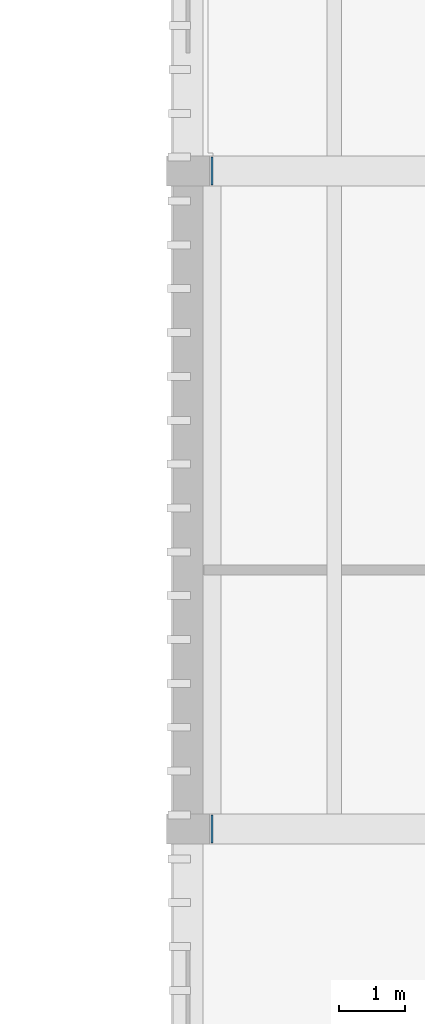
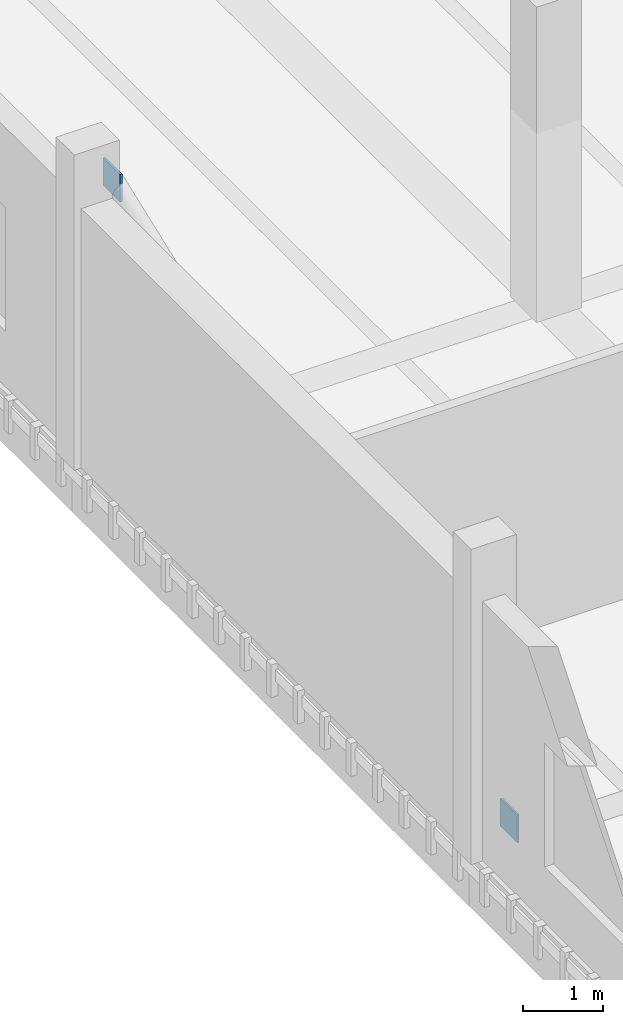
# One storey, part 25 of 50: 2 plates.
"""IFC4 building model written with IfcOpenShell, lengths in metres."""

import ifcopenshell
import ifcopenshell.guid

model = None  # the IFC model being written
_history = None  # IfcOwnerHistory: only IFC2X3 demands one
_inside = {}  # id of a spatial element -> (the spatial element, [elements in it])
_under = {}  # id of a project, library or spatial element -> (it, [spatial elements below it])
_declared = {}  # id of a project -> (the project, [libraries it declares])
_typed = {}  # id of a type object -> (the type object, [elements of that type])
_made_of = {}  # id of a material, layer set ... -> (it, [elements and type objects made of it])


def new_model(schema):
    """Start an empty IFC model of exactly this schema.

    Asked for "IFC4X3", IfcOpenShell would pick the latest addendum, in which some entities
    have other attributes; the version numbers below select the first issue.
    IFC2X3 requires an IfcOwnerHistory on every rooted entity: one is made here for all.
    """
    global model, _history
    if schema == "IFC4X3":
        model = ifcopenshell.file(schema_version=(4, 3, 0, 0))
    else:
        model = ifcopenshell.file(schema=schema)
    _inside.clear()
    _under.clear()
    _declared.clear()
    _typed.clear()
    _made_of.clear()
    _history = None
    if model.schema == "IFC2X3":
        org = make("IfcOrganization", Name="unknown")
        user = make(
            "IfcPersonAndOrganization",
            ThePerson=make("IfcPerson", FamilyName="unknown"),
            TheOrganization=org,
        )
        app = make(
            "IfcApplication",
            ApplicationDeveloper=org,
            Version="unknown",
            ApplicationFullName="unknown",
            ApplicationIdentifier="unknown",
        )
        _history = make(
            "IfcOwnerHistory",
            OwningUser=user,
            OwningApplication=app,
            ChangeAction="ADDED",
            CreationDate=0,
        )
    return model


def make(cls, **values):
    """One entity of the class cls with the attributes given. An attribute that is None is left unset."""
    return model.create_entity(
        cls, **{name: value for name, value in values.items() if value is not None}
    )


def rooted(cls, **values):
    """An entity with a GlobalId (a new one), such as an element, a storey or a relation."""
    return make(cls, GlobalId=ifcopenshell.guid.new(), OwnerHistory=_history, **values)


def si_unit(unit_type, name, prefix=None):
    """IfcSIUnit, for example si_unit("LENGTHUNIT", "METRE", prefix="MILLI")."""
    return make("IfcSIUnit", UnitType=unit_type, Prefix=prefix, Name=name)


def assignment(units):
    """IfcUnitAssignment: the units of a project."""
    return None if units is None else make("IfcUnitAssignment", Units=units)


def point(xyz):
    """IfcCartesianPoint."""
    return None if xyz is None else make("IfcCartesianPoint", Coordinates=xyz)


def direction(xyz):
    """IfcDirection."""
    return None if xyz is None else make("IfcDirection", DirectionRatios=xyz)


def frame(location, z_axis=None, x_axis=None):
    """IfcAxis2Placement3D, a coordinate frame: its origin and axes. An axis left out is left unset."""
    return make(
        "IfcAxis2Placement3D",
        Location=point(location),
        Axis=direction(z_axis),
        RefDirection=direction(x_axis),
    )


def frame_2d(location, x_axis=None):
    """IfcAxis2Placement2D, a coordinate frame in the plane: its origin and x axis."""
    return make(
        "IfcAxis2Placement2D", Location=point(location), RefDirection=direction(x_axis)
    )


def origin():
    """The frame at (0, 0, 0) with its axes left unset."""
    return frame((0.0, 0.0, 0.0))


def origin_2d():
    """The frame at (0, 0) in the plane with its x axis left unset."""
    return frame_2d((0.0, 0.0))


def place(relative_to, where):
    """IfcLocalPlacement: puts the frame where relative to a parent placement (None: the world)."""
    return make(
        "IfcLocalPlacement", PlacementRelTo=relative_to, RelativePlacement=where
    )


def context(
    kind, dimensions, precision=None, world=None, true_north=None, identifier=None
):
    """IfcGeometricRepresentationContext, for example the 3D "Model" context."""
    return make(
        "IfcGeometricRepresentationContext",
        ContextIdentifier=identifier,
        ContextType=kind,
        CoordinateSpaceDimension=dimensions,
        Precision=precision,
        WorldCoordinateSystem=world,
        TrueNorth=true_north,
    )


def subcontext(parent, identifier, kind, view, scale=None):
    """IfcGeometricRepresentationSubContext, for example "Body" below "Model"."""
    return make(
        "IfcGeometricRepresentationSubContext",
        ContextIdentifier=identifier,
        ContextType=kind,
        ParentContext=parent,
        TargetScale=scale,
        TargetView=view,
    )


def project(units=None, contexts=None):
    """IfcProject with its units and contexts."""
    return rooted(
        "IfcProject",
        Name="project",
        RepresentationContexts=contexts,
        UnitsInContext=assignment(units),
    )


def spatial(cls, under=None, at=None, **own):
    """A site, building, storey or space (cls), placed at a placement, below another one or the project."""
    s = rooted(cls, ObjectPlacement=at, **own)
    if under is not None:
        _under.setdefault(under.id(), (under, []))[1].append(s)
    return s


def profile(cls, at=None, kind="AREA", **sizes):
    """A parametric profile (cls). Its sizes go by their IFC names, for example OverallWidth=200.0."""
    return make(cls, ProfileType=kind, Position=at, **sizes)


def rectangle(**sizes):
    """IfcRectangleProfileDef."""
    return profile("IfcRectangleProfileDef", **sizes)


def extrude(swept, where, along, depth):
    """IfcExtrudedAreaSolid: the profile swept, set in the frame where, extruded along a direction by depth."""
    return make(
        "IfcExtrudedAreaSolid",
        SweptArea=swept,
        Position=where,
        ExtrudedDirection=direction(along),
        Depth=depth,
    )


def shape(context_of_items, identifier, shape_type, items):
    """IfcShapeRepresentation: the items that make up one representation, for example the "Body"."""
    return make(
        "IfcShapeRepresentation",
        ContextOfItems=context_of_items,
        RepresentationIdentifier=identifier,
        RepresentationType=shape_type,
        Items=items,
    )


def material(Name=None, Category=None):
    """IfcMaterial."""
    return make("IfcMaterial", Name=Name, Category=Category)


def layer(
    of_material, thickness, ventilated=None, Name=None, Category=None, Priority=None
):
    """IfcMaterialLayer: one layer of a wall or slab, of a material (None: an air gap)."""
    return make(
        "IfcMaterialLayer",
        Material=of_material,
        LayerThickness=thickness,
        IsVentilated=ventilated,
        Name=Name,
        Category=Category,
        Priority=Priority,
    )


def layer_set(layers, Name=None):
    """IfcMaterialLayerSet."""
    return make("IfcMaterialLayerSet", MaterialLayers=layers, LayerSetName=Name)


def made_of(thing, what):
    """Note that an element or type object is made of a material, layer set ...; save() writes the relation."""
    if what is not None:
        _made_of.setdefault(what.id(), (what, []))[1].append(thing)
    return thing


def type_object(cls, material=None, **own):
    """A type object (cls), such as IfcWallType, which elements share."""
    return made_of(rooted(cls, **own), material)


def element(
    cls,
    number,
    at=None,
    inside=None,
    cuts=None,
    type_object=None,
    material=None,
    context=None,
    identifier="Body",
    shape_type=None,
    held_by="IfcProductDefinitionShape",
    body=None,
    shapes=None,
    **own,
):
    """One element of the class cls, such as IfcWall. Its Tag is "e" and its number.

    at: its placement. inside: the storey or other place that contains it. cuts: it is an
    opening in that element (IfcRelVoidsElement). A single representation is given by context,
    identifier, shape_type and body (its items); several are given by shapes. held_by: the class
    of the entity that holds the representations. save() writes the other relations.
    """
    e = rooted(cls, Tag="e%d" % number, ObjectPlacement=at, **own)
    if body is not None:
        shapes = [shape(context, identifier, shape_type, body)]
    if shapes is not None:
        e.Representation = make(held_by, Representations=shapes)
    if inside is not None:
        _inside.setdefault(inside.id(), (inside, []))[1].append(e)
    if cuts is not None:
        rooted(
            "IfcRelVoidsElement", RelatingBuildingElement=cuts, RelatedOpeningElement=e
        )
    if type_object is not None:
        _typed.setdefault(type_object.id(), (type_object, []))[1].append(e)
    return made_of(e, material)


def aggregate(whole, parts):
    """IfcRelAggregates: a whole, such as a stair, and the parts it consists of."""
    return rooted("IfcRelAggregates", RelatingObject=whole, RelatedObjects=parts)


def save(model, path):
    """Write the relations noted so far, then the file.

    IfcRelAggregates (storeys below a building ...), IfcRelContainedInSpatialStructure (elements
    in a storey), IfcRelDefinesByType, IfcRelAssociatesMaterial and IfcRelDeclares: one each for
    every whole, place, type object, material and project.
    """
    for whole, parts in _under.values():
        aggregate(whole, parts)
    for where, things in _inside.values():
        rooted(
            "IfcRelContainedInSpatialStructure",
            RelatedElements=things,
            RelatingStructure=where,
        )
    for kind, things in _typed.values():
        rooted("IfcRelDefinesByType", RelatedObjects=things, RelatingType=kind)
    for what, things in _made_of.values():
        rooted("IfcRelAssociatesMaterial", RelatedObjects=things, RelatingMaterial=what)
    for by, libraries in _declared.values():
        rooted("IfcRelDeclares", RelatingContext=by, RelatedDefinitions=libraries)
    model.write(path)


model = new_model("IFC4")

# Units and contexts
model_context = context("Model", 3, precision=1e-05, world=origin(), true_north=direction((0.0, 1.0)))
body_context = subcontext(model_context, "Body", "Model", "MODEL_VIEW")
ifc_project = project(units=[si_unit("LENGTHUNIT", "METRE"), si_unit("AREAUNIT", "SQUARE_METRE"), si_unit("VOLUMEUNIT", "CUBIC_METRE"), si_unit("PLANEANGLEUNIT", "RADIAN"), si_unit("MASSUNIT", "GRAM", prefix="KILO")], contexts=[model_context])

# Site, building, storey
site_placement = place(None, origin())
site = spatial("IfcSite", under=ifc_project, at=site_placement, CompositionType="ELEMENT")
building_placement = place(site_placement, origin())
building = spatial("IfcBuilding", under=site, at=building_placement, Name="Dornvale Research Institute", CompositionType="ELEMENT")
storey_placement = place(building_placement, frame((0.0, 0.0, 19.800048828125)))
storey = spatial("IfcBuildingStorey", under=building, at=storey_placement, Name="L04", CompositionType="ELEMENT", Elevation=19.800048828125)

# Plates
ifc_material = material(Name="Steel ASTM A572 Grade 50", Category="steel")
ifc_layer = layer(ifc_material, 0.031982421875)
ifc_layer_set = layer_set([ifc_layer], Name="Steel ASTM A572 Grade 50")
plate_type = type_object("IfcPlateType", Name="SheetPlate_Gusset_32", PredefinedType="SHEET", material=ifc_layer_set)
for number, where, z_axis, x_axis, name in (
    (1, (119.159912109375, 102.300048828125, 0.090087890625), (0.0, 0.0, 1.0), (0.0, 1.0, 0.0), "HSS brace node gusset and cap plate ND-047"),
    (2, (119.159912109375, 112.199951171875, 3.840087890625), (0.0, 0.0, 1.0), (0.0, 1.0, 0.0), "HSS brace node gusset and cap plate ND-048"),
):
    element("IfcPlate", number, at=place(storey_placement, frame(where, z_axis=z_axis, x_axis=x_axis)), inside=storey, type_object=plate_type, Name=name, PredefinedType="SHEET", context=body_context, shape_type="SweptSolid", body=[
        extrude(rectangle(XDim=0.419921875, YDim=0.031982421875, at=origin_2d()), origin(), (0.0, 0.0, 1.0), 0.419921875),
    ])

save(model, "model.ifc")
